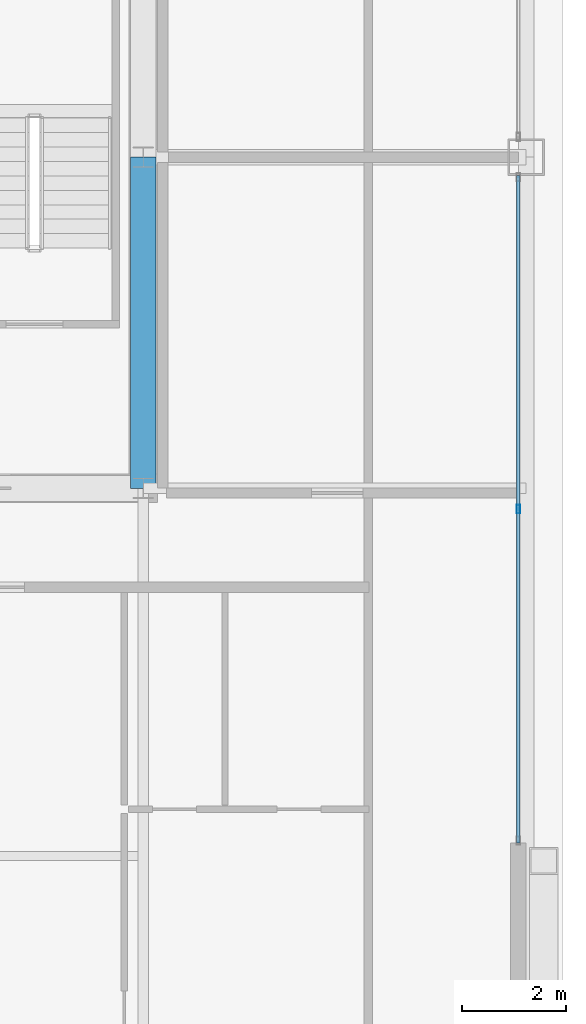
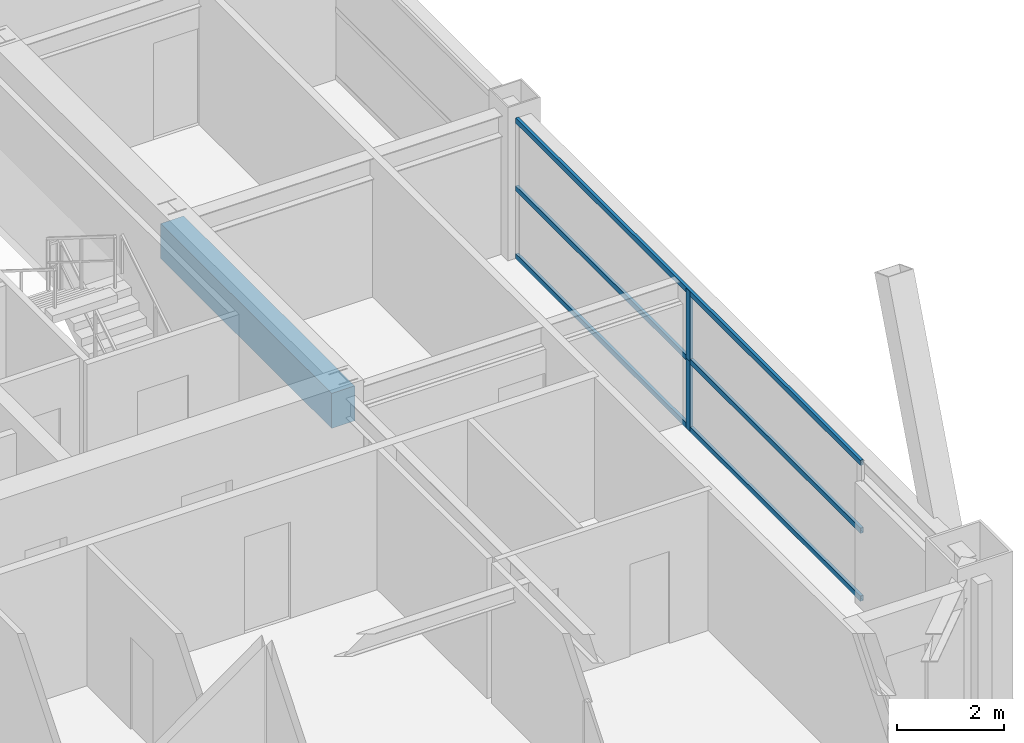
# One storey, part 18 of 36: 5 members, 1 beam, 1 element without a shape of its own.
"""IFC4 building model written with IfcOpenShell, lengths in metres."""

from ifc_helpers import new_model, si_unit, direction, frame, origin, origin_2d, place, context, subcontext, project, spatial, rectangle, hollow_rectangle, extrude, source, transform, mapped, material, layer, layer_set, material_profile, profile_set, type_object, element, aggregate, save


model = new_model("IFC4")

# Units and contexts
model_context = context("Model", 3, precision=1e-05, world=origin(), true_north=direction((0.0, 1.0)))
body_context = subcontext(model_context, "Body", "Model", "MODEL_VIEW")
ifc_project = project(units=[si_unit("LENGTHUNIT", "METRE"), si_unit("AREAUNIT", "SQUARE_METRE"), si_unit("VOLUMEUNIT", "CUBIC_METRE"), si_unit("PLANEANGLEUNIT", "RADIAN"), si_unit("MASSUNIT", "GRAM", prefix="KILO"), si_unit("THERMODYNAMICTEMPERATUREUNIT", "KELVIN"), si_unit("POWERUNIT", "WATT")], contexts=[model_context])

# Site, building, storey
site_placement = place(None, origin())
site = spatial("IfcSite", under=ifc_project, at=site_placement, CompositionType="ELEMENT")
building_placement = place(site_placement, origin())
building = spatial("IfcBuilding", under=site, at=building_placement, Name="Yuzanri Waterfront Tower", CompositionType="ELEMENT")
storey_placement = place(building_placement, frame((0.0, 0.0, 255.60009765625)))
storey = spatial("IfcBuildingStorey", under=building, at=storey_placement, Name="L68", CompositionType="ELEMENT", Elevation=255.60009765625)

# Beam
ifc_material_1 = material(Name="Concrete C50", Category="concrete")
ifc_material_profile_1 = material_profile(ifc_material_1, rectangle(XDim=0.5, YDim=0.800048828125, at=origin_2d()), Name="RC 500x800")
ifc_profile_set_1 = profile_set([ifc_material_profile_1], Name="Concrete C50")
beam_type = type_object("IfcBeamType", Name="Core Coupling Lintel Concrete C50 500x800", PredefinedType="LINTEL", material=ifc_profile_set_1)
shared_shape_1 = source(origin(), body_context, "Body", "SweptSolid", [
    extrude(rectangle(XDim=0.5, YDim=0.800048828125, at=origin_2d()), origin(), (0.0, 0.0, 1.0), 6.400146484375),
])
beam_placement = place(storey_placement, frame((50.199951171875, 19.39990234375, 2.7998046875), z_axis=(0.0, 1.0, 0.0), x_axis=(-1.0, 0.0, 0.0)))
element("IfcBeam", 1, at=beam_placement, inside=storey, type_object=beam_type, Name="L68 Core Tie Beam CE1", PredefinedType="LINTEL", context=body_context, shape_type="MappedRepresentation", body=[
    mapped(shared_shape_1, transform((0.0, 0.0, 0.0), scale=1.0)),
])

# Curtain wall, members
ifc_material_2 = material(Name="Anodized Architectural Bronze", Category="metal")
ifc_layer = layer(ifc_material_2, 0.159912109375)
ifc_layer_set = layer_set([ifc_layer], Name="Anodized Architectural Bronze")
curtain_wall_type = type_object("IfcCurtainWallType", Name="Anodized Bronze Mid-Rise Residential Acoustic Unitized Curtain Wall 7200", PredefinedType="NOTDEFINED", material=ifc_layer_set)
curtain_wall_placement = place(storey_placement, origin())
curtain_wall = element("IfcCurtainWall", 2, at=curtain_wall_placement, inside=storey, type_object=curtain_wall_type, Name="L68 Curtain Wall CW-L68-EL", PredefinedType="NOTDEFINED")
ifc_material_3 = material(Name="Anodized Architectural Bronze", Category="metal")
ifc_material_profile_2 = material_profile(ifc_material_3, hollow_rectangle(XDim=0.06494140625, YDim=0.1201171875, WallThickness=0.00341796875, at=origin_2d()), Name="CWT 65x120")
ifc_profile_set_2 = profile_set([ifc_material_profile_2], Name="Anodized Architectural Bronze")
member_type_1 = type_object("IfcMemberType", Name="Anodized Bronze Secondary Curtain-Wall Transom 65x120", PredefinedType="USERDEFINED", material=ifc_profile_set_2)
shared_shape_2 = source(origin(), body_context, "Body", "SweptSolid", [
    extrude(hollow_rectangle(XDim=0.06494140625, YDim=0.1201171875, WallThickness=0.00341796875, at=origin_2d()), origin(), (0.0, 0.0, 1.0), 12.89990234375),
])
member_1_placement = place(storey_placement, frame((57.449951171875, 12.550048828125, 0.0498046875), z_axis=(0.0, 1.0, 0.0), x_axis=(-1.0, 0.0, 0.0)))
member_1 = element("IfcMember", 3, at=member_1_placement, type_object=member_type_1, Name="CW-L68-EL Transom 1", ObjectType="TRANSOM", PredefinedType="USERDEFINED", context=body_context, shape_type="MappedRepresentation", body=[
    mapped(shared_shape_2, transform((0.0, 0.0, 0.0), scale=1.0)),
])
member_2_placement = place(storey_placement, frame((57.449951171875, 12.550048828125, 1.599853515625), z_axis=(0.0, 1.0, 0.0), x_axis=(-1.0, 0.0, 0.0)))
member_2 = element("IfcMember", 4, at=member_2_placement, type_object=member_type_1, Name="CW-L68-EL Transom 2", ObjectType="TRANSOM", PredefinedType="USERDEFINED", context=body_context, shape_type="MappedRepresentation", body=[
    mapped(shared_shape_2, transform((0.0, 0.0, 0.0), scale=1.0)),
])
member_3_placement = place(storey_placement, frame((57.449951171875, 12.550048828125, 3.14990234375), z_axis=(0.0, 1.0, 0.0), x_axis=(-1.0, 0.0, 0.0)))
member_3 = element("IfcMember", 5, at=member_3_placement, type_object=member_type_1, Name="CW-L68-EL Transom 3", ObjectType="TRANSOM", PredefinedType="USERDEFINED", context=body_context, shape_type="MappedRepresentation", body=[
    mapped(shared_shape_2, transform((0.0, 0.0, 0.0), scale=1.0)),
])
ifc_material_4 = material(Name="Anodized Architectural Bronze", Category="metal")
ifc_material_profile_3 = material_profile(ifc_material_4, hollow_rectangle(XDim=0.06494140625, YDim=0.159912109375, WallThickness=0.00341796875, at=origin_2d()), Name="CWM 65x160")
ifc_profile_set_3 = profile_set([ifc_material_profile_3], Name="Anodized Architectural Bronze")
member_type_2 = type_object("IfcMemberType", Name="Anodized Bronze Upper-Zone Curtain-Wall Mullion 65x160", PredefinedType="MULLION", material=ifc_profile_set_3)
shared_shape_3 = source(origin(), body_context, "Body", "SweptSolid", [
    extrude(hollow_rectangle(XDim=0.06494140625, YDim=0.159912109375, WallThickness=0.00341796875, at=origin_2d()), origin(), (0.0, 0.0, 1.0), 1.597900390625),
])
member_4_placement = place(storey_placement, frame((57.449951171875, 19.0, 0.0), z_axis=(0.0, 0.0, 1.0), x_axis=(1.0, 0.0, 0.0)))
member_4 = element("IfcMember", 6, at=member_4_placement, type_object=member_type_2, Name="CW-L68-EL Lower Mullion 01", PredefinedType="MULLION", context=body_context, shape_type="MappedRepresentation", body=[
    mapped(shared_shape_3, transform((0.0, 0.0, 0.0), scale=1.0)),
])
shared_shape_4 = source(origin(), body_context, "Body", "SweptSolid", [
    extrude(hollow_rectangle(XDim=0.06494140625, YDim=0.159912109375, WallThickness=0.00341796875, at=origin_2d()), origin(), (0.0, 0.0, 1.0), 1.59814453125),
])
member_5_placement = place(storey_placement, frame((57.449951171875, 19.0, 1.601806640625), z_axis=(0.0, 0.0, 1.0), x_axis=(1.0, 0.0, 0.0)))
member_5 = element("IfcMember", 7, at=member_5_placement, type_object=member_type_2, Name="CW-L68-EL Upper Mullion 01", PredefinedType="MULLION", context=body_context, shape_type="MappedRepresentation", body=[
    mapped(shared_shape_4, transform((0.0, 0.0, 0.0), scale=1.0)),
])
aggregate(curtain_wall, [member_4, member_5, member_1, member_2, member_3])

save(model, "model.ifc")
